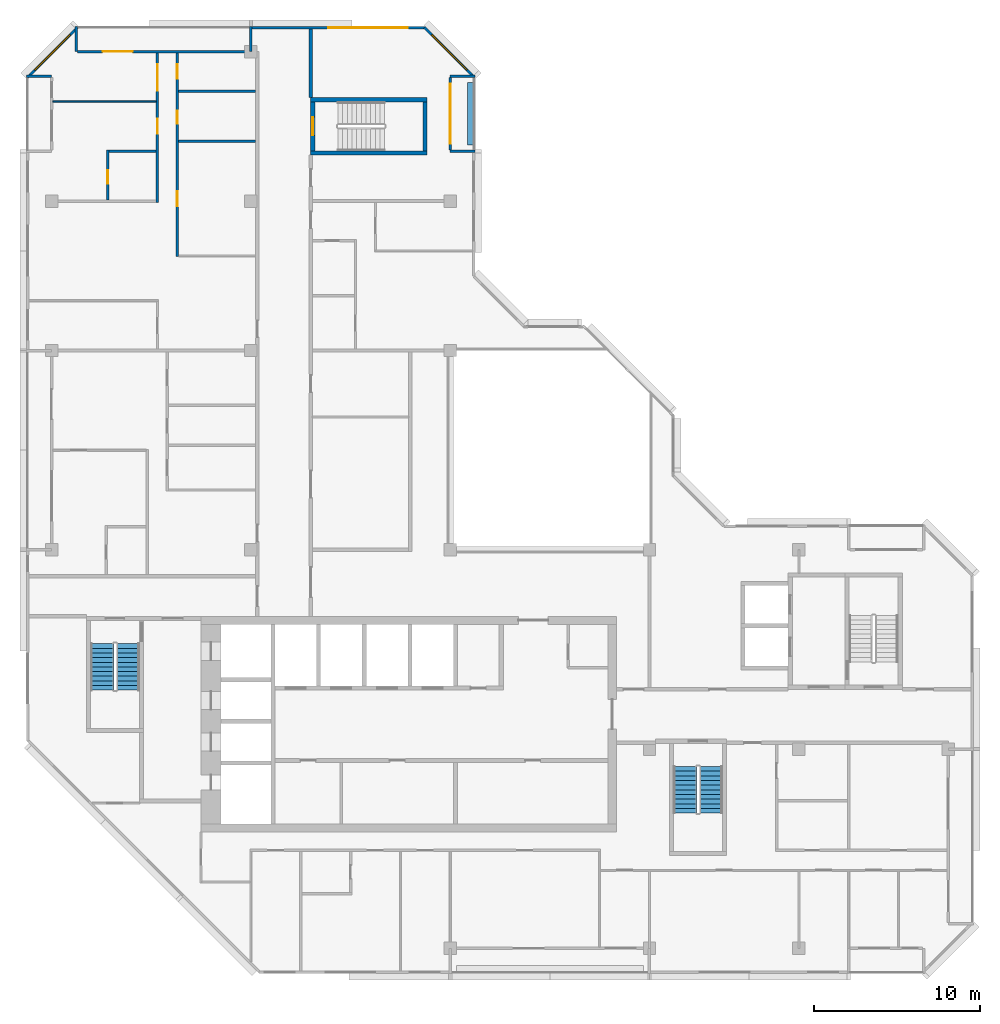
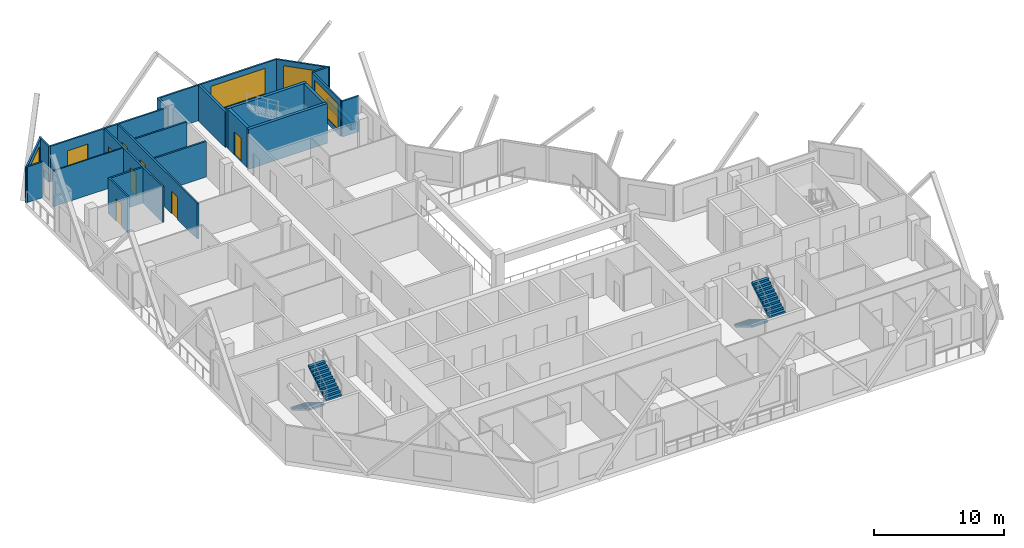
# One storey, part 9 of 12: 23 walls, 8 doors, 4 stair flights, 4 windows, 12 openings, 2 elements without a shape of their own.
"""IFC4 building model written with IfcOpenShell, lengths in metres."""

from ifc_helpers import new_model, si_unit, direction, frame, frame_2d, origin, place, context, subcontext, project, spatial, polyline, rectangle, outline, extrude, material, layer, layer_set, type_object, element, fill, aggregate, save


model = new_model("IFC4")

# Units and contexts
model_context = context("Model", 3, precision=1e-05, world=origin(), true_north=direction((0.0, 1.0)))
body_context = subcontext(model_context, "Body", "Model", "MODEL_VIEW")
ifc_project = project(units=[si_unit("LENGTHUNIT", "METRE"), si_unit("AREAUNIT", "SQUARE_METRE"), si_unit("VOLUMEUNIT", "CUBIC_METRE"), si_unit("PLANEANGLEUNIT", "RADIAN"), si_unit("MASSUNIT", "GRAM", prefix="KILO")], contexts=[model_context])

# Site, building, storey
site_placement = place(None, origin())
site = spatial("IfcSite", under=ifc_project, at=site_placement, CompositionType="ELEMENT")
building_placement = place(site_placement, origin())
building = spatial("IfcBuilding", under=site, at=building_placement, Name="Chenar Terraces", CompositionType="ELEMENT")
storey_placement = place(building_placement, frame((0.0, 0.0, 368.89990234375)))
storey = spatial("IfcBuildingStorey", under=building, at=storey_placement, Name="L86", CompositionType="ELEMENT", Elevation=368.89990234375)

# Walls
ifc_material_1 = material(Name="Concrete C50/60", Category="concrete")
ifc_layer_1 = layer(ifc_material_1, 0.25)
ifc_layer_set_1 = layer_set([ifc_layer_1], Name="Concrete C50/60")
wall_type_1 = type_object("IfcWallType", Name="Core wall 250 Concrete C50/60", PredefinedType="SHEAR", material=ifc_layer_set_1)
for number, where, z_axis, x_axis, name in (
    (1, (15.60009765625, 47.89990234375, 0.0), (0.0, 0.0, 1.0), (1.0, 0.0, 0.0), "Core wall ST4_S L86"),
    (2, (15.60009765625, 51.10009765625, 0.0), (0.0, 0.0, 1.0), (1.0, 0.0, 0.0), "Core wall ST4_N L86"),
):
    element("IfcWall", number, at=place(storey_placement, frame(where, z_axis=z_axis, x_axis=x_axis)), inside=storey, type_object=wall_type_1, Name=name, PredefinedType="SHEAR", context=body_context, shape_type="SweptSolid", body=[
        extrude(rectangle(XDim=7.0, YDim=0.25, at=frame_2d((3.5, 0.0))), origin(), (0.0, 0.0, 1.0), 3.75),
    ])

# Wall, opening, door
wall_1_placement = place(storey_placement, frame((15.72509765625, 48.02490234375, 0.0), z_axis=(0.0, 0.0, 1.0), x_axis=(0.0, 1.0, 0.0)))
wall_1 = element("IfcWall", 3, at=wall_1_placement, inside=storey, type_object=wall_type_1, Name="Core wall ST4_W L86", PredefinedType="SHEAR", context=body_context, shape_type="SweptSolid", body=[
    extrude(rectangle(XDim=2.9501953125, YDim=0.25, at=frame_2d((1.47509765625, 0.0))), origin(), (0.0, 0.0, 1.0), 3.75),
])
opening_1_placement = place(wall_1_placement, frame((0.925048828125, 0.0, 0.0)))
opening_1 = element("IfcOpeningElement", 4, at=opening_1_placement, cuts=wall_1, Name="Opening DL86-C9", PredefinedType="OPENING", context=body_context, shape_type="SweptSolid", body=[
    extrude(rectangle(XDim=1.10009765625, YDim=2.199951171875, at=frame_2d((0.550048828125, 1.10009765625))), frame((0.0, 0.135009765625, 0.0), z_axis=(0.0, -1.0, 0.0), x_axis=(1.0, 0.0, 0.0)), (0.0, 0.0, 1.0), 0.27001953125),
])
ifc_material_2 = material(Name="Steel-framed fire-resisting door leaf", Category="steel")
door_type_1 = type_object("IfcDoorType", Name="Stair fire door FD60 1100 x 2200", OperationType="SINGLE_SWING_LEFT", PredefinedType="DOOR", material=ifc_material_2)
door_1_placement = place(opening_1_placement, frame((1.10009765625, 0.0, 0.0), z_axis=(0.0, 0.0, 1.0), x_axis=(-1.0, 0.0, 0.0)))
door_1 = element("IfcDoor", 5, at=door_1_placement, inside=storey, type_object=door_type_1, Name="Stair door DL86-C9", OperationType="SINGLE_SWING_RIGHT", OverallHeight=2.199951171875, OverallWidth=1.10009765625, PredefinedType="DOOR", context=body_context, shape_type="SweptSolid", body=[
    extrude(rectangle(XDim=1.10009765625, YDim=2.199951171875, at=frame_2d((0.550048828125, 1.10009765625))), frame((0.0, 0.02490234375, 0.0), z_axis=(0.0, -1.0, 0.0), x_axis=(1.0, 0.0, 0.0)), (0.0, 0.0, 1.0), 0.050048828125),
])
fill(opening_1, door_1)

# Walls
wall_2_placement = place(storey_placement, frame((22.47509765625, 48.02490234375, 0.0), z_axis=(0.0, 0.0, 1.0), x_axis=(0.0, 1.0, 0.0)))
element("IfcWall", 6, at=wall_2_placement, inside=storey, type_object=wall_type_1, Name="Core wall ST4_E L86", PredefinedType="SHEAR", context=body_context, shape_type="SweptSolid", body=[
    extrude(rectangle(XDim=2.9501953125, YDim=0.25, at=frame_2d((1.47509765625, 0.0))), origin(), (0.0, 0.0, 1.0), 3.75),
])
ifc_material_3 = material(Name="Gypsum board on steel studs with fire boards", Category="steel")
ifc_layer_2 = layer(ifc_material_3, 0.199951171875)
ifc_layer_set_2 = layer_set([ifc_layer_2], Name="Gypsum board on steel studs with fire boards")
wall_type_2 = type_object("IfcWallType", Name="Corridor wall 200", PredefinedType="PARTITIONING", material=ifc_layer_set_2)
wall_3_placement = place(storey_placement, frame((15.60009765625, 51.22509765625, 0.0), z_axis=(0.0, 0.0, 1.0), x_axis=(0.0, 1.0, 0.0)))
element("IfcWall", 7, at=wall_3_placement, inside=storey, type_object=wall_type_2, Name="Partition L86-032", PredefinedType="PARTITIONING", context=body_context, shape_type="SweptSolid", body=[
    extrude(rectangle(XDim=4.125, YDim=0.199951171875, at=frame_2d((2.0625, 0.0))), origin(), (0.0, 0.0, 1.0), 3.35009765625),
])

# Wall, opening, window
ifc_material_4 = material(Name="Aluminium framed glazing", Category="aluminium")
ifc_layer_3 = layer(ifc_material_4, 0.14990234375)
ifc_layer_set_3 = layer_set([ifc_layer_3], Name="Aluminium framed glazing")
wall_type_3 = type_object("IfcWallType", Name="Glazed flush facade wall 150", PredefinedType="SOLIDWALL", material=ifc_layer_set_3)
wall_4_placement = place(storey_placement, frame((22.5, 55.425048828125, 0.0), z_axis=(0.0, 0.0, 1.0), x_axis=(-1.0, 0.0, 0.0)))
wall_4 = element("IfcWall", 8, at=wall_4_placement, inside=storey, type_object=wall_type_3, Name="Glazed flush facade wall", PredefinedType="SOLIDWALL", context=body_context, shape_type="SweptSolid", body=[
    extrude(rectangle(XDim=10.425048828125, YDim=0.14990234375, at=frame_2d((5.21240234375, 0.0))), origin(), (0.0, 0.0, 1.0), 3.35009765625),
])
opening_2_placement = place(wall_4_placement, frame((1.050048828125, 0.0, 0.449951171875)))
opening_2 = element("IfcOpeningElement", 9, at=opening_2_placement, cuts=wall_4, Name="Opening W480x240", PredefinedType="OPENING", context=body_context, shape_type="SweptSolid", body=[
    extrude(rectangle(XDim=4.800048828125, YDim=2.39990234375, at=frame_2d((2.39990234375, 1.199951171875))), frame((0.0, 0.0849609375, 0.0), z_axis=(0.0, -1.0, 0.0), x_axis=(1.0, 0.0, 0.0)), (0.0, 0.0, 1.0), 0.169921875),
])
ifc_material_5 = material(Name="Low emissivity double glazing, aluminium frame", Category="aluminium")
window_type_1 = type_object("IfcWindowType", Name="Fixed light 4800 x 2400", PartitioningType="SINGLE_PANEL", PredefinedType="WINDOW", material=ifc_material_5)
window_1_placement = place(opening_2_placement, origin())
window_1 = element("IfcWindow", 10, at=window_1_placement, inside=storey, type_object=window_type_1, Name="Window", OverallHeight=2.39990234375, OverallWidth=4.800048828125, PartitioningType="SINGLE_PANEL", PredefinedType="WINDOW", context=body_context, shape_type="SweptSolid", body=[
    extrude(rectangle(XDim=4.800048828125, YDim=2.39990234375, at=frame_2d((2.39990234375, 1.199951171875))), frame((0.0, 0.030029296875, 0.0), z_axis=(0.0, -1.0, 0.0), x_axis=(1.0, 0.0, 0.0)), (0.0, 0.0, 1.0), 0.06005859375),
])
fill(opening_2, window_1)

ifc_material_6 = material(Name="Aluminium framed glazing", Category="aluminium")
ifc_layer_4 = layer(ifc_material_6, 0.14990234375)
ifc_layer_set_4 = layer_set([ifc_layer_4], Name="Aluminium framed glazing")
wall_type_4 = type_object("IfcWallType", Name="Glazed loggia back wall 150", PredefinedType="SOLIDWALL", material=ifc_layer_set_4)
wall_5_placement = place(storey_placement, frame((24.0, 48.074951171875, 0.0), z_axis=(0.0, 0.0, 1.0), x_axis=(0.0, 1.0, 0.0)))
wall_5 = element("IfcWall", 11, at=wall_5_placement, inside=storey, type_object=wall_type_4, Name="Glazed loggia back wall", PredefinedType="SOLIDWALL", context=body_context, shape_type="SweptSolid", body=[
    extrude(rectangle(XDim=4.35009765625, YDim=0.14990234375, at=frame_2d((2.175048828125, 0.0))), origin(), (0.0, 0.0, 1.0), 3.35009765625),
])
opening_3_placement = place(wall_5_placement, frame((0.375, 0.0, 0.449951171875)))
opening_3 = element("IfcOpeningElement", 12, at=opening_3_placement, cuts=wall_5, Name="Opening W360x240", PredefinedType="OPENING", context=body_context, shape_type="SweptSolid", body=[
    extrude(rectangle(XDim=3.60009765625, YDim=2.39990234375, at=frame_2d((1.800048828125, 1.199951171875))), frame((0.0, 0.0849609375, 0.0), z_axis=(0.0, -1.0, 0.0), x_axis=(1.0, 0.0, 0.0)), (0.0, 0.0, 1.0), 0.169921875),
])
ifc_material_7 = material(Name="Low emissivity double glazing, aluminium frame", Category="aluminium")
window_type_2 = type_object("IfcWindowType", Name="Fixed light 3600 x 2400", PartitioningType="SINGLE_PANEL", PredefinedType="WINDOW", material=ifc_material_7)
window_2_placement = place(opening_3_placement, origin())
window_2 = element("IfcWindow", 13, at=window_2_placement, inside=storey, type_object=window_type_2, Name="Window", OverallHeight=2.39990234375, OverallWidth=3.60009765625, PartitioningType="SINGLE_PANEL", PredefinedType="WINDOW", context=body_context, shape_type="SweptSolid", body=[
    extrude(rectangle(XDim=3.60009765625, YDim=2.39990234375, at=frame_2d((1.800048828125, 1.199951171875))), frame((0.0, 0.030029296875, 0.0), z_axis=(0.0, -1.0, 0.0), x_axis=(1.0, 0.0, 0.0)), (0.0, 0.0, 1.0), 0.06005859375),
])
fill(opening_3, window_2)

# Wall, opening, door
wall_6_placement = place(storey_placement, frame((11.925048828125, 54.0, 0.0), z_axis=(0.0, 0.0, 1.0), x_axis=(-1.0, 0.0, 0.0)))
wall_6 = element("IfcWall", 14, at=wall_6_placement, inside=storey, type_object=wall_type_4, Name="Glazed loggia back wall", PredefinedType="SOLIDWALL", context=body_context, shape_type="SweptSolid", body=[
    extrude(rectangle(XDim=10.35009765625, YDim=0.14990234375, at=frame_2d((5.175048828125, 0.0))), origin(), (0.0, 0.0, 1.0), 3.35009765625),
])
opening_4_placement = place(wall_6_placement, frame((7.050048828125, 0.0, 0.0)))
opening_4 = element("IfcOpeningElement", 15, at=opening_4_placement, cuts=wall_6, Name="Opening DL86-G1", PredefinedType="OPENING", context=body_context, shape_type="SweptSolid", body=[
    extrude(rectangle(XDim=1.800048828125, YDim=2.39990234375, at=frame_2d((0.89990234375, 1.199951171875))), frame((0.0, 0.0849609375, 0.0), z_axis=(0.0, -1.0, 0.0), x_axis=(1.0, 0.0, 0.0)), (0.0, 0.0, 1.0), 0.169921875),
])
ifc_material_8 = material(Name="Low emissivity double glazing, aluminium frame", Category="aluminium")
door_type_2 = type_object("IfcDoorType", Name="Loggia glazed double door 1800 x 2400", OperationType="DOUBLE_DOOR_SINGLE_SWING", PredefinedType="DOOR", material=ifc_material_8)
door_2_placement = place(opening_4_placement, frame((1.800048828125, 0.0, 0.0), z_axis=(0.0, 0.0, 1.0), x_axis=(-1.0, 0.0, 0.0)))
door_2 = element("IfcDoor", 16, at=door_2_placement, inside=storey, type_object=door_type_2, Name="Loggia glazed door", OperationType="DOUBLE_DOOR_SINGLE_SWING", OverallHeight=2.39990234375, OverallWidth=1.800048828125, PredefinedType="DOOR", context=body_context, shape_type="SweptSolid", body=[
    extrude(rectangle(XDim=1.800048828125, YDim=2.39990234375, at=frame_2d((0.89990234375, 1.199951171875))), frame((0.0, 0.02490234375, 0.0), z_axis=(0.0, -1.0, 0.0), x_axis=(1.0, 0.0, 0.0)), (0.0, 0.0, 1.0), 0.050048828125),
])
fill(opening_4, door_2)

# Walls
ifc_material_9 = material(Name="Gypsum board on steel studs", Category="steel")
ifc_layer_5 = layer(ifc_material_9, 0.10009765625)
ifc_layer_set_5 = layer_set([ifc_layer_5], Name="Gypsum board on steel studs")
wall_type_5 = type_object("IfcWallType", Name="Gypsum partition 100", PredefinedType="PARTITIONING", material=ifc_layer_set_5)
wall_7_placement = place(storey_placement, frame((0.073974609375, 51.0, 0.0), z_axis=(0.0, 0.0, 1.0), x_axis=(1.0, 0.0, 0.0)))
element("IfcWall", 17, at=wall_7_placement, inside=storey, type_object=wall_type_5, Name="Partition L86-007", PredefinedType="PARTITIONING", context=body_context, shape_type="SweptSolid", body=[
    extrude(rectangle(XDim=6.22607421875, YDim=0.10009765625, at=frame_2d((3.113037109375, 0.0))), origin(), (0.0, 0.0, 1.0), 3.35009765625),
])
ifc_material_10 = material(Name="Terracotta cladding on insulated backing", Category="masonry")
ifc_layer_6 = layer(ifc_material_10, 0.14990234375)
ifc_layer_set_6 = layer_set([ifc_layer_6], Name="Terracotta cladding on insulated backing")
wall_type_6 = type_object("IfcWallType", Name="Loggia return wall 150", PredefinedType="SOLIDWALL", material=ifc_layer_set_6)
for number, where, z_axis, x_axis, name in (
    (18, (25.5, 48.0, 0.0), (0.0, 0.0, 1.0), (-1.0, 0.0, 0.0), "Loggia return wall"),
    (19, (25.5, 52.5, 0.0), (0.0, 0.0, 1.0), (-1.0, 0.0, 0.0), "Loggia return wall"),
    (20, (12.0, 55.5, 0.0), (0.0, 0.0, 1.0), (0.0, -1.0, 0.0), "Loggia return wall"),
    (21, (1.5, 55.5, 0.0), (0.0, 0.0, 1.0), (0.0, -1.0, 0.0), "Loggia return wall"),
    (22, (-1.5, 52.5, 0.0), (0.0, 0.0, 1.0), (1.0, 0.0, 0.0), "Loggia return wall"),
):
    element("IfcWall", number, at=place(storey_placement, frame(where, z_axis=z_axis, x_axis=x_axis)), inside=storey, type_object=wall_type_6, Name=name, PredefinedType="SOLIDWALL", context=body_context, shape_type="SweptSolid", body=[
        extrude(rectangle(XDim=1.5, YDim=0.14990234375, at=frame_2d((0.75, 0.0))), origin(), (0.0, 0.0, 1.0), 3.35009765625),
    ])

# Wall, opening, window
ifc_material_11 = material(Name="Terracotta cladding on insulated backing", Category="masonry")
ifc_layer_7 = layer(ifc_material_11, 0.14990234375)
ifc_layer_set_7 = layer_set([ifc_layer_7], Name="Terracotta cladding on insulated backing")
wall_type_7 = type_object("IfcWallType", Name="Terracotta rainscreen wall 150", PredefinedType="SOLIDWALL", material=ifc_layer_set_7)
wall_8_placement = place(storey_placement, frame((25.447021484375, 52.447021484375, 0.0), z_axis=(0.0, 0.0, 1.0), x_axis=(-0.707106781187, 0.707106781187, 0.0)))
wall_8 = element("IfcWall", 23, at=wall_8_placement, inside=storey, type_object=wall_type_7, Name="Terracotta rainscreen wall", PredefinedType="SOLIDWALL", context=body_context, shape_type="SweptSolid", body=[
    extrude(rectangle(XDim=4.24267578125, YDim=0.14990234375, at=frame_2d((2.121337890625, 0.0))), origin(), (0.0, 0.0, 1.0), 3.35009765625),
])
opening_5_placement = place(wall_8_placement, frame((0.621337890625, 0.0, 0.449951171875)))
opening_5 = element("IfcOpeningElement", 24, at=opening_5_placement, cuts=wall_8, Name="Opening W300x240", PredefinedType="OPENING", context=body_context, shape_type="SweptSolid", body=[
    extrude(rectangle(XDim=3.0, YDim=2.39990234375, at=frame_2d((1.5, 1.199951171875))), frame((0.0, 0.0849609375, 0.0), z_axis=(0.0, -1.0, 0.0), x_axis=(1.0, 0.0, 0.0)), (0.0, 0.0, 1.0), 0.169921875),
])
ifc_material_12 = material(Name="Low emissivity double glazing, aluminium frame", Category="aluminium")
window_type_3 = type_object("IfcWindowType", Name="Fixed light 3000 x 2400", PartitioningType="SINGLE_PANEL", PredefinedType="WINDOW", material=ifc_material_12)
window_3_placement = place(opening_5_placement, origin())
window_3 = element("IfcWindow", 25, at=window_3_placement, inside=storey, type_object=window_type_3, Name="Window", OverallHeight=2.39990234375, OverallWidth=3.0, PartitioningType="SINGLE_PANEL", PredefinedType="WINDOW", context=body_context, shape_type="SweptSolid", body=[
    extrude(rectangle(XDim=3.0, YDim=2.39990234375, at=frame_2d((1.5, 1.199951171875))), frame((0.0, 0.030029296875, 0.0), z_axis=(0.0, -1.0, 0.0), x_axis=(1.0, 0.0, 0.0)), (0.0, 0.0, 1.0), 0.06005859375),
])
fill(opening_5, window_3)

wall_9_placement = place(storey_placement, frame((1.552978515625, 55.447021484375, 0.0), z_axis=(0.0, 0.0, 1.0), x_axis=(-0.707106781187, -0.707106781187, 0.0)))
wall_9 = element("IfcWall", 26, at=wall_9_placement, inside=storey, type_object=wall_type_7, Name="Terracotta rainscreen wall", PredefinedType="SOLIDWALL", context=body_context, shape_type="SweptSolid", body=[
    extrude(rectangle(XDim=4.24267578125, YDim=0.14990234375, at=frame_2d((2.121337890625, 0.0))), origin(), (0.0, 0.0, 1.0), 3.35009765625),
])
opening_6_placement = place(wall_9_placement, frame((0.621337890625, 0.0, 0.449951171875)))
opening_6 = element("IfcOpeningElement", 27, at=opening_6_placement, cuts=wall_9, Name="Opening W300x240", PredefinedType="OPENING", context=body_context, shape_type="SweptSolid", body=[
    extrude(rectangle(XDim=3.0, YDim=2.39990234375, at=frame_2d((1.5, 1.199951171875))), frame((0.0, 0.0849609375, 0.0), z_axis=(0.0, -1.0, 0.0), x_axis=(1.0, 0.0, 0.0)), (0.0, 0.0, 1.0), 0.169921875),
])
window_4_placement = place(opening_6_placement, origin())
window_4 = element("IfcWindow", 28, at=window_4_placement, inside=storey, type_object=window_type_3, Name="Window", OverallHeight=2.39990234375, OverallWidth=3.0, PartitioningType="SINGLE_PANEL", PredefinedType="WINDOW", context=body_context, shape_type="SweptSolid", body=[
    extrude(rectangle(XDim=3.0, YDim=2.39990234375, at=frame_2d((1.5, 1.199951171875))), frame((0.0, 0.030029296875, 0.0), z_axis=(0.0, -1.0, 0.0), x_axis=(1.0, 0.0, 0.0)), (0.0, 0.0, 1.0), 0.06005859375),
])
fill(opening_6, window_4)

# Wall
ifc_material_13 = material(Name="GRP planter trough")
ifc_layer_8 = layer(ifc_material_13, 0.39990234375)
ifc_layer_set_8 = layer_set([ifc_layer_8], Name="GRP planter trough")
wall_type_8 = type_object("IfcWallType", Name="Vertical greenery planter 400", PredefinedType="SOLIDWALL", material=ifc_layer_set_8)
wall_10_placement = place(storey_placement, frame((25.22900390625, 48.375, 0.0), z_axis=(0.0, 0.0, 1.0), x_axis=(0.0, 1.0, 0.0)))
element("IfcWall", 29, at=wall_10_placement, inside=storey, type_object=wall_type_8, Name="Vertical greenery planter", PredefinedType="SOLIDWALL", context=body_context, shape_type="SweptSolid", body=[
    extrude(rectangle(XDim=3.75, YDim=0.39990234375, at=frame_2d((1.875, 0.0))), origin(), (0.0, 0.0, 1.0), 0.7001953125),
])

# Wall, opening, door
ifc_material_14 = material(Name="Moisture-resistant gypsum board on steel studs", Category="steel")
ifc_layer_9 = layer(ifc_material_14, 0.14990234375)
ifc_layer_set_9 = layer_set([ifc_layer_9], Name="Moisture-resistant gypsum board on steel studs")
wall_type_9 = type_object("IfcWallType", Name="Wet-room partition 150", PredefinedType="PARTITIONING", material=ifc_layer_set_9)
wall_11_placement = place(storey_placement, frame((3.375, 45.074951171875, 0.0), z_axis=(0.0, 0.0, 1.0), x_axis=(0.0, 1.0, 0.0)))
wall_11 = element("IfcWall", 30, at=wall_11_placement, inside=storey, type_object=wall_type_9, Name="Partition L86-011", PredefinedType="PARTITIONING", context=body_context, shape_type="SweptSolid", body=[
    extrude(rectangle(XDim=3.0, YDim=0.14990234375, at=frame_2d((1.5, 0.0))), origin(), (0.0, 0.0, 1.0), 3.35009765625),
])
opening_7_placement = place(wall_11_placement, frame((0.97509765625, 0.0, 0.0)))
opening_7 = element("IfcOpeningElement", 31, at=opening_7_placement, cuts=wall_11, Name="Opening DL86-11", PredefinedType="OPENING", context=body_context, shape_type="SweptSolid", body=[
    extrude(rectangle(XDim=0.800048828125, YDim=2.10009765625, at=frame_2d((0.39990234375, 1.050048828125))), frame((0.0, 0.0849609375, 0.0), z_axis=(0.0, -1.0, 0.0), x_axis=(1.0, 0.0, 0.0)), (0.0, 0.0, 1.0), 0.169921875),
])
ifc_material_15 = material(Name="Veneered timber door leaf", Category="wood")
door_type_3 = type_object("IfcDoorType", Name="Door 800 x 2100", OperationType="SINGLE_SWING_LEFT", PredefinedType="DOOR", material=ifc_material_15)
door_3_placement = place(opening_7_placement, frame((0.800048828125, 0.0, 0.0), z_axis=(0.0, 0.0, 1.0), x_axis=(-1.0, 0.0, 0.0)))
door_3 = element("IfcDoor", 32, at=door_3_placement, inside=storey, type_object=door_type_3, Name="Door DL86-11", OperationType="SINGLE_SWING_RIGHT", OverallHeight=2.10009765625, OverallWidth=0.800048828125, PredefinedType="DOOR", context=body_context, shape_type="SweptSolid", body=[
    extrude(rectangle(XDim=0.800048828125, YDim=2.10009765625, at=frame_2d((0.39990234375, 1.050048828125))), frame((0.0, 0.02490234375, 0.0), z_axis=(0.0, -1.0, 0.0), x_axis=(1.0, 0.0, 0.0)), (0.0, 0.0, 1.0), 0.050048828125),
])
fill(opening_7, door_3)

# Wall
wall_12_placement = place(storey_placement, frame((3.449951171875, 48.0, 0.0), z_axis=(0.0, 0.0, 1.0), x_axis=(1.0, 0.0, 0.0)))
element("IfcWall", 33, at=wall_12_placement, inside=storey, type_object=wall_type_9, Name="Partition L86-012", PredefinedType="PARTITIONING", context=body_context, shape_type="SweptSolid", body=[
    extrude(rectangle(XDim=2.85009765625, YDim=0.14990234375, at=frame_2d((1.425048828125, 0.0))), origin(), (0.0, 0.0, 1.0), 3.35009765625),
])

# Wall, openings, doors
wall_13_placement = place(storey_placement, frame((6.375, 44.925048828125, 0.0), z_axis=(0.0, 0.0, 1.0), x_axis=(0.0, 1.0, 0.0)))
wall_13 = element("IfcWall", 34, at=wall_13_placement, inside=storey, type_object=wall_type_9, Name="Partition L86-015", PredefinedType="PARTITIONING", context=body_context, shape_type="SweptSolid", body=[
    extrude(rectangle(XDim=9.0009765625, YDim=0.14990234375, at=frame_2d((4.50048828125, 0.0))), origin(), (0.0, 0.0, 1.0), 3.35009765625),
])
opening_8_placement = place(wall_13_placement, frame((4.125, 0.0, 0.0)))
opening_8 = element("IfcOpeningElement", 35, at=opening_8_placement, cuts=wall_13, Name="Opening DL86-10", PredefinedType="OPENING", context=body_context, shape_type="SweptSolid", body=[
    extrude(rectangle(XDim=0.89990234375, YDim=2.10009765625, at=frame_2d((0.449951171875, 1.050048828125))), frame((0.0, 0.0849609375, 0.0), z_axis=(0.0, -1.0, 0.0), x_axis=(1.0, 0.0, 0.0)), (0.0, 0.0, 1.0), 0.169921875),
])
opening_9_placement = place(wall_13_placement, frame((6.72509765625, 0.0, 0.0)))
opening_9 = element("IfcOpeningElement", 36, at=opening_9_placement, cuts=wall_13, Name="Opening DL86-14", PredefinedType="OPENING", context=body_context, shape_type="SweptSolid", body=[
    extrude(rectangle(XDim=1.60009765625, YDim=2.10009765625, at=frame_2d((0.800048828125, 1.050048828125))), frame((0.0, 0.0849609375, 0.0), z_axis=(0.0, -1.0, 0.0), x_axis=(1.0, 0.0, 0.0)), (0.0, 0.0, 1.0), 0.169921875),
])
ifc_material_16 = material(Name="Veneered timber door leaf", Category="wood")
door_type_4 = type_object("IfcDoorType", Name="Door 900 x 2100", OperationType="SINGLE_SWING_LEFT", PredefinedType="DOOR", material=ifc_material_16)
door_4_placement = place(opening_8_placement, origin())
door_4 = element("IfcDoor", 37, at=door_4_placement, inside=storey, type_object=door_type_4, Name="Door DL86-10", OperationType="SINGLE_SWING_LEFT", OverallHeight=2.10009765625, OverallWidth=0.89990234375, PredefinedType="DOOR", context=body_context, shape_type="SweptSolid", body=[
    extrude(rectangle(XDim=0.89990234375, YDim=2.10009765625, at=frame_2d((0.449951171875, 1.050048828125))), frame((0.0, 0.02490234375, 0.0), z_axis=(0.0, -1.0, 0.0), x_axis=(1.0, 0.0, 0.0)), (0.0, 0.0, 1.0), 0.050048828125),
])
fill(opening_8, door_4)
ifc_material_17 = material(Name="Veneered timber door leaf", Category="wood")
door_type_5 = type_object("IfcDoorType", Name="Double door 1600 x 2100", OperationType="DOUBLE_DOOR_SINGLE_SWING", PredefinedType="DOOR", material=ifc_material_17)
door_5_placement = place(opening_9_placement, origin())
door_5 = element("IfcDoor", 38, at=door_5_placement, inside=storey, type_object=door_type_5, Name="Door DL86-14", OperationType="DOUBLE_DOOR_SINGLE_SWING", OverallHeight=2.10009765625, OverallWidth=1.60009765625, PredefinedType="DOOR", context=body_context, shape_type="SweptSolid", body=[
    extrude(rectangle(XDim=1.60009765625, YDim=2.10009765625, at=frame_2d((0.800048828125, 1.050048828125))), frame((0.0, 0.02490234375, 0.0), z_axis=(0.0, -1.0, 0.0), x_axis=(1.0, 0.0, 0.0)), (0.0, 0.0, 1.0), 0.050048828125),
])
fill(opening_9, door_5)

wall_14_placement = place(storey_placement, frame((7.574951171875, 41.64990234375, 0.0), z_axis=(0.0, 0.0, 1.0), x_axis=(0.0, 1.0, 0.0)))
wall_14 = element("IfcWall", 39, at=wall_14_placement, inside=storey, type_object=wall_type_9, Name="Partition L86-020", PredefinedType="PARTITIONING", context=body_context, shape_type="SweptSolid", body=[
    extrude(rectangle(XDim=12.276123046875, YDim=0.14990234375, at=frame_2d((6.13818359375, 0.0))), origin(), (0.0, 0.0, 1.0), 3.35009765625),
])
opening_10_placement = place(wall_14_placement, frame((8.0, 0.0, 0.0)))
opening_10 = element("IfcOpeningElement", 40, at=opening_10_placement, cuts=wall_14, Name="Opening DL86-8", PredefinedType="OPENING", context=body_context, shape_type="SweptSolid", body=[
    extrude(rectangle(XDim=0.800048828125, YDim=2.10009765625, at=frame_2d((0.39990234375, 1.050048828125))), frame((0.0, 0.0849609375, 0.0), z_axis=(0.0, -1.0, 0.0), x_axis=(1.0, 0.0, 0.0)), (0.0, 0.0, 1.0), 0.169921875),
])
opening_11_placement = place(wall_14_placement, frame((3.050048828125, 0.0, 0.0)))
opening_11 = element("IfcOpeningElement", 41, at=opening_11_placement, cuts=wall_14, Name="Opening DL86-12", PredefinedType="OPENING", context=body_context, shape_type="SweptSolid", body=[
    extrude(rectangle(XDim=0.89990234375, YDim=2.10009765625, at=frame_2d((0.449951171875, 1.050048828125))), frame((0.0, 0.0849609375, 0.0), z_axis=(0.0, -1.0, 0.0), x_axis=(1.0, 0.0, 0.0)), (0.0, 0.0, 1.0), 0.169921875),
])
opening_12_placement = place(wall_14_placement, frame((10.699951171875, 0.0, 0.0)))
opening_12 = element("IfcOpeningElement", 42, at=opening_12_placement, cuts=wall_14, Name="Opening DL86-15", PredefinedType="OPENING", context=body_context, shape_type="SweptSolid", body=[
    extrude(rectangle(XDim=0.89990234375, YDim=2.10009765625, at=frame_2d((0.449951171875, 1.050048828125))), frame((0.0, 0.0849609375, 0.0), z_axis=(0.0, -1.0, 0.0), x_axis=(1.0, 0.0, 0.0)), (0.0, 0.0, 1.0), 0.169921875),
])
door_6_placement = place(opening_10_placement, frame((0.800048828125, 0.0, 0.0), z_axis=(0.0, 0.0, 1.0), x_axis=(-1.0, 0.0, 0.0)))
door_6 = element("IfcDoor", 43, at=door_6_placement, inside=storey, type_object=door_type_3, Name="Door DL86-8", OperationType="SINGLE_SWING_RIGHT", OverallHeight=2.10009765625, OverallWidth=0.800048828125, PredefinedType="DOOR", context=body_context, shape_type="SweptSolid", body=[
    extrude(rectangle(XDim=0.800048828125, YDim=2.10009765625, at=frame_2d((0.39990234375, 1.050048828125))), frame((0.0, 0.02490234375, 0.0), z_axis=(0.0, -1.0, 0.0), x_axis=(1.0, 0.0, 0.0)), (0.0, 0.0, 1.0), 0.050048828125),
])
fill(opening_10, door_6)
door_7_placement = place(opening_11_placement, frame((0.89990234375, 0.0, 0.0), z_axis=(0.0, 0.0, 1.0), x_axis=(-1.0, 0.0, 0.0)))
door_7 = element("IfcDoor", 44, at=door_7_placement, inside=storey, type_object=door_type_4, Name="Door DL86-12", OperationType="SINGLE_SWING_LEFT", OverallHeight=2.10009765625, OverallWidth=0.89990234375, PredefinedType="DOOR", context=body_context, shape_type="SweptSolid", body=[
    extrude(rectangle(XDim=0.89990234375, YDim=2.10009765625, at=frame_2d((0.449951171875, 1.050048828125))), frame((0.0, 0.02490234375, 0.0), z_axis=(0.0, -1.0, 0.0), x_axis=(1.0, 0.0, 0.0)), (0.0, 0.0, 1.0), 0.050048828125),
])
fill(opening_11, door_7)
door_8_placement = place(opening_12_placement, frame((0.89990234375, 0.0, 0.0), z_axis=(0.0, 0.0, 1.0), x_axis=(-1.0, 0.0, 0.0)))
door_8 = element("IfcDoor", 45, at=door_8_placement, inside=storey, type_object=door_type_4, Name="Door DL86-15", OperationType="SINGLE_SWING_RIGHT", OverallHeight=2.10009765625, OverallWidth=0.89990234375, PredefinedType="DOOR", context=body_context, shape_type="SweptSolid", body=[
    extrude(rectangle(XDim=0.89990234375, YDim=2.10009765625, at=frame_2d((0.449951171875, 1.050048828125))), frame((0.0, 0.02490234375, 0.0), z_axis=(0.0, -1.0, 0.0), x_axis=(1.0, 0.0, 0.0)), (0.0, 0.0, 1.0), 0.050048828125),
])
fill(opening_12, door_8)

# Walls
for number, where, z_axis, x_axis, name in (
    (46, (7.64990234375, 48.60009765625, 0.0), (0.0, 0.0, 1.0), (1.0, 0.0, 0.0), "Partition L86-022"),
    (47, (7.64990234375, 51.60009765625, 0.0), (0.0, 0.0, 1.0), (1.0, 0.0, 0.0), "Partition L86-023"),
):
    element("IfcWall", number, at=place(storey_placement, frame(where, z_axis=z_axis, x_axis=x_axis)), inside=storey, type_object=wall_type_9, Name=name, PredefinedType="PARTITIONING", context=body_context, shape_type="SweptSolid", body=[
        extrude(rectangle(XDim=4.625, YDim=0.14990234375, at=frame_2d((2.3125, 0.0))), origin(), (0.0, 0.0, 1.0), 3.35009765625),
    ])

# Stair, stair flights
ifc_material_18 = material(Name="Reinforced concrete C40/50", Category="concrete")
stair_type = type_object("IfcStairType", Name="Core stair 1400 half-turn", PredefinedType="HALF_TURN_STAIR", material=ifc_material_18)
placement = place(storey_placement, origin())
stair_1 = element("IfcStair", 48, at=placement, inside=storey, type_object=stair_type, Name="L86 Stair 1", PredefinedType="HALF_TURN_STAIR")
ifc_material_19 = material(Name="Reinforced concrete C40/50", Category="concrete")
stair_flight_type = type_object("IfcStairFlightType", Name="Core stair flight 1400", PredefinedType="STRAIGHT", material=ifc_material_19)
stair_flight_1_placement = place(storey_placement, frame((3.050048828125, 18.35009765625, 0.0), z_axis=(0.0, 0.0, 1.0), x_axis=(0.0, -1.0, 0.0)))
stair_flight_1 = element("IfcStairFlight", 49, at=stair_flight_1_placement, type_object=stair_flight_type, Name="ST1 flight 1", NumberOfRisers=11, NumberOfTreads=10, PredefinedType="STRAIGHT", RiserHeight=0.170454545, TreadLength=0.28, context=body_context, shape_type="SweptSolid", body=[
    extrude(outline(polyline([(-0.0029296875, 0.0), (-0.0029296875, 0.17041015625), (0.0, 0.17041015625), (0.280029296875, 0.17041015625), (0.280029296875, 0.3408203125), (0.56005859375, 0.3408203125), (0.56005859375, 0.511474609375), (0.840087890625, 0.511474609375), (0.840087890625, 0.681884765625), (1.1201171875, 0.681884765625), (1.1201171875, 0.852294921875), (1.39990234375, 0.852294921875), (1.39990234375, 1.022705078125), (1.679931640625, 1.022705078125), (1.679931640625, 1.193115234375), (1.9599609375, 1.193115234375), (1.9599609375, 1.363525390625), (2.239990234375, 1.363525390625), (2.239990234375, 1.5341796875), (2.52001953125, 1.5341796875), (2.52001953125, 1.70458984375), (2.800048828125, 1.70458984375), (2.802978515625, 1.70458984375), (2.802978515625, 1.529052734375), (2.800048828125, 1.529052734375), (0.288330078125, 0.0), (-0.0029296875, 0.0)])), frame((0.0, 0.699951171875, 0.0), z_axis=(0.0, -1.0, 0.0), x_axis=(1.0, 0.0, 0.0)), (0.0, 0.0, 1.0), 1.39990234375),
])
stair_flight_2_placement = place(storey_placement, frame((4.60009765625, 15.550048828125, 1.875), z_axis=(0.0, 0.0, 1.0), x_axis=(0.0, 1.0, 0.0)))
stair_flight_2 = element("IfcStairFlight", 50, at=stair_flight_2_placement, type_object=stair_flight_type, Name="ST1 flight 2", NumberOfRisers=11, NumberOfTreads=10, PredefinedType="STRAIGHT", RiserHeight=0.170454545, TreadLength=0.28, context=body_context, shape_type="SweptSolid", body=[
    extrude(outline(polyline([(-0.0029296875, 0.0), (-0.0029296875, 0.17041015625), (0.0, 0.17041015625), (0.280029296875, 0.17041015625), (0.280029296875, 0.3408203125), (0.56005859375, 0.3408203125), (0.56005859375, 0.511474609375), (0.840087890625, 0.511474609375), (0.840087890625, 0.681884765625), (1.1201171875, 0.681884765625), (1.1201171875, 0.852294921875), (1.39990234375, 0.852294921875), (1.39990234375, 1.022705078125), (1.679931640625, 1.022705078125), (1.679931640625, 1.193115234375), (1.9599609375, 1.193115234375), (1.9599609375, 1.363525390625), (2.239990234375, 1.363525390625), (2.239990234375, 1.5341796875), (2.52001953125, 1.5341796875), (2.52001953125, 1.70458984375), (2.800048828125, 1.70458984375), (2.802978515625, 1.70458984375), (2.802978515625, 1.529052734375), (2.800048828125, 1.529052734375), (0.288330078125, 0.0), (-0.0029296875, 0.0)])), frame((0.0, 0.699951171875, 0.0), z_axis=(0.0, -1.0, 0.0), x_axis=(1.0, 0.0, 0.0)), (0.0, 0.0, 1.0), 1.39990234375),
])
aggregate(stair_1, [stair_flight_1, stair_flight_2])

stair_2 = element("IfcStair", 51, at=placement, inside=storey, type_object=stair_type, Name="L86 Stair 2", PredefinedType="HALF_TURN_STAIR")
stair_flight_3_placement = place(storey_placement, frame((38.14990234375, 10.949951171875, 0.0), z_axis=(0.0, 0.0, 1.0), x_axis=(0.0, -1.0, 0.0)))
stair_flight_3 = element("IfcStairFlight", 52, at=stair_flight_3_placement, type_object=stair_flight_type, Name="ST2 flight 1", NumberOfRisers=11, NumberOfTreads=10, PredefinedType="STRAIGHT", RiserHeight=0.170454545, TreadLength=0.28, context=body_context, shape_type="SweptSolid", body=[
    extrude(outline(polyline([(-0.0029296875, 0.0), (-0.0029296875, 0.17041015625), (0.0, 0.17041015625), (0.280029296875, 0.17041015625), (0.280029296875, 0.3408203125), (0.56005859375, 0.3408203125), (0.56005859375, 0.511474609375), (0.840087890625, 0.511474609375), (0.840087890625, 0.681884765625), (1.1201171875, 0.681884765625), (1.1201171875, 0.852294921875), (1.39990234375, 0.852294921875), (1.39990234375, 1.022705078125), (1.679931640625, 1.022705078125), (1.679931640625, 1.193115234375), (1.9599609375, 1.193115234375), (1.9599609375, 1.363525390625), (2.239990234375, 1.363525390625), (2.239990234375, 1.5341796875), (2.52001953125, 1.5341796875), (2.52001953125, 1.70458984375), (2.800048828125, 1.70458984375), (2.802978515625, 1.70458984375), (2.802978515625, 1.529052734375), (2.800048828125, 1.529052734375), (0.288330078125, 0.0), (-0.0029296875, 0.0)])), frame((0.0, 0.699951171875, 0.0), z_axis=(0.0, -1.0, 0.0), x_axis=(1.0, 0.0, 0.0)), (0.0, 0.0, 1.0), 1.39990234375),
])
stair_flight_4_placement = place(storey_placement, frame((39.699951171875, 8.14990234375, 1.875), z_axis=(0.0, 0.0, 1.0), x_axis=(0.0, 1.0, 0.0)))
stair_flight_4 = element("IfcStairFlight", 53, at=stair_flight_4_placement, type_object=stair_flight_type, Name="ST2 flight 2", NumberOfRisers=11, NumberOfTreads=10, PredefinedType="STRAIGHT", RiserHeight=0.170454545, TreadLength=0.28, context=body_context, shape_type="SweptSolid", body=[
    extrude(outline(polyline([(-0.0029296875, 0.0), (-0.0029296875, 0.17041015625), (0.0, 0.17041015625), (0.280029296875, 0.17041015625), (0.280029296875, 0.3408203125), (0.56005859375, 0.3408203125), (0.56005859375, 0.511474609375), (0.840087890625, 0.511474609375), (0.840087890625, 0.681884765625), (1.1201171875, 0.681884765625), (1.1201171875, 0.852294921875), (1.39990234375, 0.852294921875), (1.39990234375, 1.022705078125), (1.679931640625, 1.022705078125), (1.679931640625, 1.193115234375), (1.9599609375, 1.193115234375), (1.9599609375, 1.363525390625), (2.239990234375, 1.363525390625), (2.239990234375, 1.5341796875), (2.52001953125, 1.5341796875), (2.52001953125, 1.70458984375), (2.800048828125, 1.70458984375), (2.802978515625, 1.70458984375), (2.802978515625, 1.529052734375), (2.800048828125, 1.529052734375), (0.288330078125, 0.0), (-0.0029296875, 0.0)])), frame((0.0, 0.699951171875, 0.0), z_axis=(0.0, -1.0, 0.0), x_axis=(1.0, 0.0, 0.0)), (0.0, 0.0, 1.0), 1.39990234375),
])
aggregate(stair_2, [stair_flight_3, stair_flight_4])

save(model, "model.ifc")
